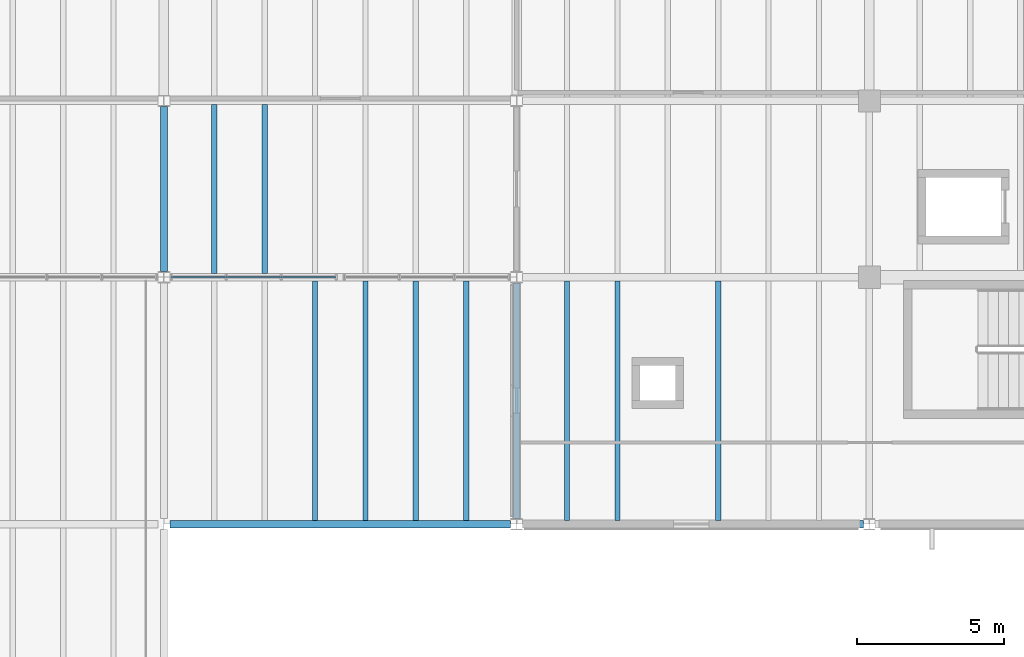
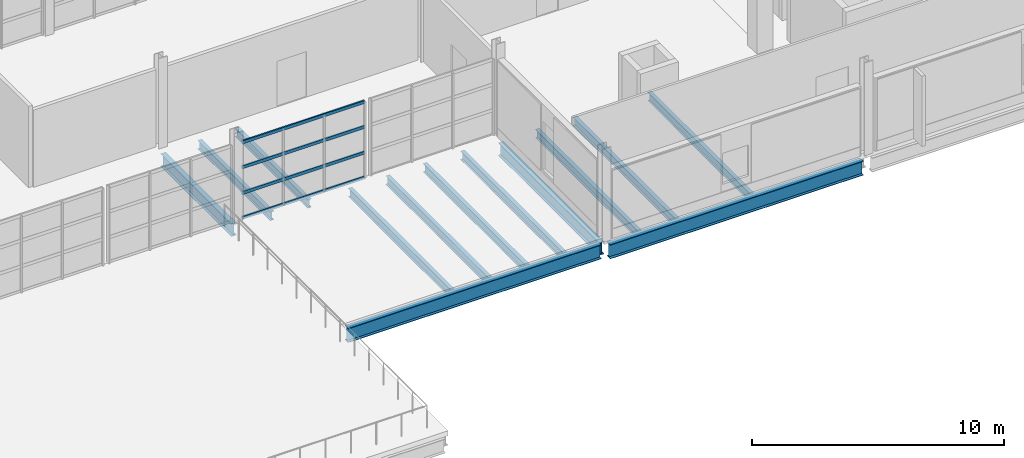
# One storey, part 23 of 78: 13 beams, 4 members, 1 element without a shape of its own.
"""IFC4 building model written with IfcOpenShell, lengths in metres."""

import ifcopenshell
import ifcopenshell.guid

model = None  # the IFC model being written
_history = None  # IfcOwnerHistory: only IFC2X3 demands one
_inside = {}  # id of a spatial element -> (the spatial element, [elements in it])
_under = {}  # id of a project, library or spatial element -> (it, [spatial elements below it])
_declared = {}  # id of a project -> (the project, [libraries it declares])
_typed = {}  # id of a type object -> (the type object, [elements of that type])
_made_of = {}  # id of a material, layer set ... -> (it, [elements and type objects made of it])


def new_model(schema):
    """Start an empty IFC model of exactly this schema.

    Asked for "IFC4X3", IfcOpenShell would pick the latest addendum, in which some entities
    have other attributes; the version numbers below select the first issue.
    IFC2X3 requires an IfcOwnerHistory on every rooted entity: one is made here for all.
    """
    global model, _history
    if schema == "IFC4X3":
        model = ifcopenshell.file(schema_version=(4, 3, 0, 0))
    else:
        model = ifcopenshell.file(schema=schema)
    _inside.clear()
    _under.clear()
    _declared.clear()
    _typed.clear()
    _made_of.clear()
    _history = None
    if model.schema == "IFC2X3":
        org = make("IfcOrganization", Name="unknown")
        user = make(
            "IfcPersonAndOrganization",
            ThePerson=make("IfcPerson", FamilyName="unknown"),
            TheOrganization=org,
        )
        app = make(
            "IfcApplication",
            ApplicationDeveloper=org,
            Version="unknown",
            ApplicationFullName="unknown",
            ApplicationIdentifier="unknown",
        )
        _history = make(
            "IfcOwnerHistory",
            OwningUser=user,
            OwningApplication=app,
            ChangeAction="ADDED",
            CreationDate=0,
        )
    return model


def make(cls, **values):
    """One entity of the class cls with the attributes given. An attribute that is None is left unset."""
    return model.create_entity(
        cls, **{name: value for name, value in values.items() if value is not None}
    )


def rooted(cls, **values):
    """An entity with a GlobalId (a new one), such as an element, a storey or a relation."""
    return make(cls, GlobalId=ifcopenshell.guid.new(), OwnerHistory=_history, **values)


def si_unit(unit_type, name, prefix=None):
    """IfcSIUnit, for example si_unit("LENGTHUNIT", "METRE", prefix="MILLI")."""
    return make("IfcSIUnit", UnitType=unit_type, Prefix=prefix, Name=name)


def assignment(units):
    """IfcUnitAssignment: the units of a project."""
    return None if units is None else make("IfcUnitAssignment", Units=units)


def point(xyz):
    """IfcCartesianPoint."""
    return None if xyz is None else make("IfcCartesianPoint", Coordinates=xyz)


def direction(xyz):
    """IfcDirection."""
    return None if xyz is None else make("IfcDirection", DirectionRatios=xyz)


def frame(location, z_axis=None, x_axis=None):
    """IfcAxis2Placement3D, a coordinate frame: its origin and axes. An axis left out is left unset."""
    return make(
        "IfcAxis2Placement3D",
        Location=point(location),
        Axis=direction(z_axis),
        RefDirection=direction(x_axis),
    )


def frame_2d(location, x_axis=None):
    """IfcAxis2Placement2D, a coordinate frame in the plane: its origin and x axis."""
    return make(
        "IfcAxis2Placement2D", Location=point(location), RefDirection=direction(x_axis)
    )


def origin():
    """The frame at (0, 0, 0) with its axes left unset."""
    return frame((0.0, 0.0, 0.0))


def origin_2d():
    """The frame at (0, 0) in the plane with its x axis left unset."""
    return frame_2d((0.0, 0.0))


def place(relative_to, where):
    """IfcLocalPlacement: puts the frame where relative to a parent placement (None: the world)."""
    return make(
        "IfcLocalPlacement", PlacementRelTo=relative_to, RelativePlacement=where
    )


def context(
    kind, dimensions, precision=None, world=None, true_north=None, identifier=None
):
    """IfcGeometricRepresentationContext, for example the 3D "Model" context."""
    return make(
        "IfcGeometricRepresentationContext",
        ContextIdentifier=identifier,
        ContextType=kind,
        CoordinateSpaceDimension=dimensions,
        Precision=precision,
        WorldCoordinateSystem=world,
        TrueNorth=true_north,
    )


def subcontext(parent, identifier, kind, view, scale=None):
    """IfcGeometricRepresentationSubContext, for example "Body" below "Model"."""
    return make(
        "IfcGeometricRepresentationSubContext",
        ContextIdentifier=identifier,
        ContextType=kind,
        ParentContext=parent,
        TargetScale=scale,
        TargetView=view,
    )


def project(units=None, contexts=None):
    """IfcProject with its units and contexts."""
    return rooted(
        "IfcProject",
        Name="project",
        RepresentationContexts=contexts,
        UnitsInContext=assignment(units),
    )


def spatial(cls, under=None, at=None, **own):
    """A site, building, storey or space (cls), placed at a placement, below another one or the project."""
    s = rooted(cls, ObjectPlacement=at, **own)
    if under is not None:
        _under.setdefault(under.id(), (under, []))[1].append(s)
    return s


def profile(cls, at=None, kind="AREA", **sizes):
    """A parametric profile (cls). Its sizes go by their IFC names, for example OverallWidth=200.0."""
    return make(cls, ProfileType=kind, Position=at, **sizes)


def hollow_rectangle(**sizes):
    """IfcRectangleHollowProfileDef."""
    return profile("IfcRectangleHollowProfileDef", **sizes)


def i_section(**sizes):
    """IfcIShapeProfileDef."""
    return profile("IfcIShapeProfileDef", **sizes)


def extrude(swept, where, along, depth):
    """IfcExtrudedAreaSolid: the profile swept, set in the frame where, extruded along a direction by depth."""
    return make(
        "IfcExtrudedAreaSolid",
        SweptArea=swept,
        Position=where,
        ExtrudedDirection=direction(along),
        Depth=depth,
    )


def shape(context_of_items, identifier, shape_type, items):
    """IfcShapeRepresentation: the items that make up one representation, for example the "Body"."""
    return make(
        "IfcShapeRepresentation",
        ContextOfItems=context_of_items,
        RepresentationIdentifier=identifier,
        RepresentationType=shape_type,
        Items=items,
    )


def material(Name=None, Category=None):
    """IfcMaterial."""
    return make("IfcMaterial", Name=Name, Category=Category)


def material_profile(
    of_material, cross_section, Name=None, Category=None, Priority=None
):
    """IfcMaterialProfile: a cross section and its material."""
    return make(
        "IfcMaterialProfile",
        Name=Name,
        Material=of_material,
        Profile=cross_section,
        Priority=Priority,
        Category=Category,
    )


def profile_set(profiles, Name=None, composite=None):
    """IfcMaterialProfileSet."""
    return make(
        "IfcMaterialProfileSet",
        Name=Name,
        MaterialProfiles=profiles,
        CompositeProfile=composite,
    )


def made_of(thing, what):
    """Note that an element or type object is made of a material, layer set ...; save() writes the relation."""
    if what is not None:
        _made_of.setdefault(what.id(), (what, []))[1].append(thing)
    return thing


def type_object(cls, material=None, **own):
    """A type object (cls), such as IfcWallType, which elements share."""
    return made_of(rooted(cls, **own), material)


def element(
    cls,
    number,
    at=None,
    inside=None,
    cuts=None,
    type_object=None,
    material=None,
    context=None,
    identifier="Body",
    shape_type=None,
    held_by="IfcProductDefinitionShape",
    body=None,
    shapes=None,
    **own,
):
    """One element of the class cls, such as IfcWall. Its Tag is "e" and its number.

    at: its placement. inside: the storey or other place that contains it. cuts: it is an
    opening in that element (IfcRelVoidsElement). A single representation is given by context,
    identifier, shape_type and body (its items); several are given by shapes. held_by: the class
    of the entity that holds the representations. save() writes the other relations.
    """
    e = rooted(cls, Tag="e%d" % number, ObjectPlacement=at, **own)
    if body is not None:
        shapes = [shape(context, identifier, shape_type, body)]
    if shapes is not None:
        e.Representation = make(held_by, Representations=shapes)
    if inside is not None:
        _inside.setdefault(inside.id(), (inside, []))[1].append(e)
    if cuts is not None:
        rooted(
            "IfcRelVoidsElement", RelatingBuildingElement=cuts, RelatedOpeningElement=e
        )
    if type_object is not None:
        _typed.setdefault(type_object.id(), (type_object, []))[1].append(e)
    return made_of(e, material)


def aggregate(whole, parts):
    """IfcRelAggregates: a whole, such as a stair, and the parts it consists of."""
    return rooted("IfcRelAggregates", RelatingObject=whole, RelatedObjects=parts)


def save(model, path):
    """Write the relations noted so far, then the file.

    IfcRelAggregates (storeys below a building ...), IfcRelContainedInSpatialStructure (elements
    in a storey), IfcRelDefinesByType, IfcRelAssociatesMaterial and IfcRelDeclares: one each for
    every whole, place, type object, material and project.
    """
    for whole, parts in _under.values():
        aggregate(whole, parts)
    for where, things in _inside.values():
        rooted(
            "IfcRelContainedInSpatialStructure",
            RelatedElements=things,
            RelatingStructure=where,
        )
    for kind, things in _typed.values():
        rooted("IfcRelDefinesByType", RelatedObjects=things, RelatingType=kind)
    for what, things in _made_of.values():
        rooted("IfcRelAssociatesMaterial", RelatedObjects=things, RelatingMaterial=what)
    for by, libraries in _declared.values():
        rooted("IfcRelDeclares", RelatingContext=by, RelatedDefinitions=libraries)
    model.write(path)


model = new_model("IFC4")

# Units and contexts
model_context = context("Model", 3, precision=1e-05, world=origin(), true_north=direction((0.0, 1.0)))
body_context = subcontext(model_context, "Body", "Model", "MODEL_VIEW")
ifc_project = project(units=[si_unit("LENGTHUNIT", "METRE"), si_unit("AREAUNIT", "SQUARE_METRE"), si_unit("VOLUMEUNIT", "CUBIC_METRE"), si_unit("PLANEANGLEUNIT", "RADIAN"), si_unit("MASSUNIT", "GRAM", prefix="KILO")], contexts=[model_context])

# Site, building, storey
site_placement = place(None, origin())
site = spatial("IfcSite", under=ifc_project, at=site_placement, CompositionType="ELEMENT")
building_placement = place(site_placement, origin())
building = spatial("IfcBuilding", under=site, at=building_placement, Name="Kelmvaro Bay Concert Hall", CompositionType="ELEMENT")
storey_placement = place(building_placement, frame((0.0, 0.0, 9.300048828125)))
storey = spatial("IfcBuildingStorey", under=building, at=storey_placement, Name="L02", CompositionType="ELEMENT", Elevation=9.300048828125)

# Curtain wall, members
ifc_material_1 = material(Name="Anodised Aluminium and Low-E Insulated Glazing", Category="aluminium")
curtain_wall_type = type_object("IfcCurtainWallType", Name="Upper Salon Waterfront Curtain Wall 4050", PredefinedType="USERDEFINED", material=ifc_material_1)
curtain_wall_placement = place(storey_placement, origin())
curtain_wall = element("IfcCurtainWall", 1, at=curtain_wall_placement, inside=storey, type_object=curtain_wall_type, Name="Unitised Curtain Wall CW-L02-086", ObjectType="UNITISED GLAZING", PredefinedType="USERDEFINED")
ifc_material_2 = material(Name="Anodised Extruded Aluminium 6063-T6", Category="aluminium")
ifc_material_profile_1 = material_profile(ifc_material_2, hollow_rectangle(XDim=0.06494140625, YDim=0.14990234375, WallThickness=0.00390625, at=origin_2d()), Name="ALU-TRN-150X65")
ifc_profile_set_1 = profile_set([ifc_material_profile_1], Name="Anodised Extruded Aluminium 6063-T6")
member_type = type_object("IfcMemberType", Name="Curtain Transom ALU 150x65", PredefinedType="USERDEFINED", material=ifc_profile_set_1)
member_1_placement = place(storey_placement, frame((113.860107421875, 24.0, 0.0400390625), z_axis=(-1.0, 0.0, 0.0), x_axis=(0.0, -1.0, 0.0)))
member_1 = element("IfcMember", 2, at=member_1_placement, type_object=member_type, Name="CW-L02-086 Transom 01", ObjectType="TRANSOM", PredefinedType="USERDEFINED", context=body_context, shape_type="SweptSolid", body=[
    extrude(hollow_rectangle(XDim=0.06494140625, YDim=0.14990234375, WallThickness=0.00390625, at=origin_2d()), origin(), (0.0, 0.0, 1.0), 5.607177734375),
])
member_2_placement = place(storey_placement, frame((113.860107421875, 24.0, 1.246337890625), z_axis=(-1.0, 0.0, 0.0), x_axis=(0.0, -1.0, 0.0)))
member_2 = element("IfcMember", 3, at=member_2_placement, type_object=member_type, Name="CW-L02-086 Transom 02", ObjectType="TRANSOM", PredefinedType="USERDEFINED", context=body_context, shape_type="SweptSolid", body=[
    extrude(hollow_rectangle(XDim=0.06494140625, YDim=0.14990234375, WallThickness=0.00390625, at=origin_2d()), origin(), (0.0, 0.0, 1.0), 5.607177734375),
])
member_3_placement = place(storey_placement, frame((113.860107421875, 24.0, 2.49267578125), z_axis=(-1.0, 0.0, 0.0), x_axis=(0.0, -1.0, 0.0)))
member_3 = element("IfcMember", 4, at=member_3_placement, type_object=member_type, Name="CW-L02-086 Transom 03", ObjectType="TRANSOM", PredefinedType="USERDEFINED", context=body_context, shape_type="SweptSolid", body=[
    extrude(hollow_rectangle(XDim=0.06494140625, YDim=0.14990234375, WallThickness=0.00390625, at=origin_2d()), origin(), (0.0, 0.0, 1.0), 5.607177734375),
])
member_4_placement = place(storey_placement, frame((113.860107421875, 24.0, 3.698974609375), z_axis=(-1.0, 0.0, 0.0), x_axis=(0.0, -1.0, 0.0)))
member_4 = element("IfcMember", 5, at=member_4_placement, type_object=member_type, Name="CW-L02-086 Transom 04", ObjectType="TRANSOM", PredefinedType="USERDEFINED", context=body_context, shape_type="SweptSolid", body=[
    extrude(hollow_rectangle(XDim=0.06494140625, YDim=0.14990234375, WallThickness=0.00390625, at=origin_2d()), origin(), (0.0, 0.0, 1.0), 5.607177734375),
])
aggregate(curtain_wall, [member_1, member_2, member_3, member_4])

# Beams
ifc_material_3 = material(Name="Steel ASTM A992 Grade 50", Category="steel")
ifc_material_profile_2 = material_profile(ifc_material_3, i_section(OverallWidth=0.256103515625, OverallDepth=0.693115234375, WebThickness=0.014404296875, FlangeThickness=0.023681640625, at=origin_2d()), Name="W27X114")
ifc_profile_set_2 = profile_set([ifc_material_profile_2], Name="Steel ASTM A992 Grade 50")
beam_type_1 = type_object("IfcBeamType", Name="Foyer Primary Girder W27x114", PredefinedType="BEAM", material=ifc_profile_set_2)
beam_1_placement = place(storey_placement, frame((108.197998046875, 15.60009765625, -0.4765625), z_axis=(1.0, 0.0, 0.0), x_axis=(0.0, 1.0, 0.0)))
element("IfcBeam", 6, at=beam_1_placement, inside=storey, type_object=beam_type_1, Name="L02 Girder BM-L02-EW-0699", PredefinedType="BEAM", context=body_context, shape_type="SweptSolid", body=[
    extrude(i_section(OverallWidth=0.256103515625, OverallDepth=0.693115234375, WebThickness=0.014404296875, FlangeThickness=0.023681640625, at=origin_2d()), origin(), (0.0, 0.0, 1.0), 11.6015625),
])
beam_2_placement = place(storey_placement, frame((120.200439453125, 15.60009765625, -0.62646484375), z_axis=(1.0, 0.0, 0.0), x_axis=(0.0, 1.0, 0.0)))
element("IfcBeam", 7, at=beam_2_placement, inside=storey, type_object=beam_type_1, Name="L02 Girder BM-L02-EW-0700", PredefinedType="BEAM", context=body_context, shape_type="SweptSolid", body=[
    extrude(i_section(OverallWidth=0.256103515625, OverallDepth=0.693115234375, WebThickness=0.014404296875, FlangeThickness=0.023681640625, at=origin_2d()), origin(), (0.0, 0.0, 1.0), 11.59912109375),
])
ifc_material_4 = material(Name="Steel ASTM A992 Grade 50", Category="steel")
ifc_material_profile_3 = material_profile(ifc_material_4, i_section(OverallWidth=0.179931640625, OverallDepth=0.4140625, WebThickness=0.009765625, FlangeThickness=0.01611328125, at=origin_2d()), Name="W16X50")
ifc_profile_set_3 = profile_set([ifc_material_profile_3], Name="Steel ASTM A992 Grade 50")
beam_type_2 = type_object("IfcBeamType", Name="Terrace Composite Joist W16x50", PredefinedType="JOIST", material=ifc_profile_set_3)
for number, where, z_axis, x_axis, name in (
    (8, (113.142822265625, 15.72802734375, -0.337158203125), (0.0, 1.0, 0.0), (-1.0, 0.0, 0.0), "L02 Floor Joist JST-L02-0968"),
    (9, (114.857177734375, 15.72802734375, -0.337158203125), (0.0, 1.0, 0.0), (-1.0, 0.0, 0.0), "L02 Floor Joist JST-L02-0969"),
    (10, (116.5712890625, 15.72802734375, -0.337158203125), (0.0, 1.0, 0.0), (-1.0, 0.0, 0.0), "L02 Floor Joist JST-L02-0970"),
    (11, (118.28564453125, 15.72802734375, -0.337158203125), (0.0, 1.0, 0.0), (-1.0, 0.0, 0.0), "L02 Floor Joist JST-L02-0971"),
    (12, (121.71435546875, 15.72802734375, -0.487060546875), (0.0, 1.0, 0.0), (-1.0, 0.0, 0.0), "L02 Floor Joist JST-L02-0972"),
    (13, (123.4287109375, 15.72802734375, -0.487060546875), (0.0, 1.0, 0.0), (-1.0, 0.0, 0.0), "L02 Floor Joist JST-L02-0973"),
    (14, (126.857177734375, 15.72802734375, -0.487060546875), (0.0, 1.0, 0.0), (-1.0, 0.0, 0.0), "L02 Floor Joist JST-L02-0974"),
):
    element("IfcBeam", number, at=place(storey_placement, frame(where, z_axis=z_axis, x_axis=x_axis)), inside=storey, type_object=beam_type_2, Name=name, PredefinedType="JOIST", context=body_context, shape_type="SweptSolid", body=[
        extrude(i_section(OverallWidth=0.179931640625, OverallDepth=0.4140625, WebThickness=0.009765625, FlangeThickness=0.01611328125, at=origin_2d()), origin(), (0.0, 0.0, 1.0), 8.14404296875),
    ])
for number, where, z_axis, x_axis, name in (
    (15, (109.71435546875, 24.1279296875, -0.45703125), (0.0, 1.0, 0.0), (-1.0, 0.0, 0.0), "L02 Floor Joist JST-L02-0998"),
    (16, (111.4287109375, 24.1279296875, -0.45703125), (0.0, 1.0, 0.0), (-1.0, 0.0, 0.0), "L02 Floor Joist JST-L02-0999"),
):
    element("IfcBeam", number, at=place(storey_placement, frame(where, z_axis=z_axis, x_axis=x_axis)), inside=storey, type_object=beam_type_2, Name=name, PredefinedType="JOIST", context=body_context, shape_type="SweptSolid", body=[
        extrude(i_section(OverallWidth=0.179931640625, OverallDepth=0.4140625, WebThickness=0.009765625, FlangeThickness=0.01611328125, at=origin_2d()), origin(), (0.0, 0.0, 1.0), 5.744140625),
    ])
ifc_material_5 = material(Name="Steel ASTM A992 Grade 50", Category="steel")
ifc_material_profile_4 = material_profile(ifc_material_5, i_section(OverallWidth=0.22900390625, OverallDepth=0.612060546875, WebThickness=0.011962890625, FlangeThickness=0.01953125, at=origin_2d()), Name="W24X84")
ifc_profile_set_4 = profile_set([ifc_material_profile_4], Name="Steel ASTM A992 Grade 50")
beam_type_3 = type_object("IfcBeamType", Name="Terrace Edge Girder W24x84", PredefinedType="BEAM", material=ifc_profile_set_4)
beam_3_placement = place(storey_placement, frame((108.0, 24.1904296875, -0.55615234375), z_axis=(0.0, 1.0, 0.0), x_axis=(-1.0, 0.0, 0.0)))
element("IfcBeam", 17, at=beam_3_placement, inside=storey, type_object=beam_type_3, Name="L02 Girder BM-L02-NS-0851", PredefinedType="BEAM", context=body_context, shape_type="SweptSolid", body=[
    extrude(i_section(OverallWidth=0.22900390625, OverallDepth=0.612060546875, WebThickness=0.011962890625, FlangeThickness=0.01953125, at=origin_2d()), origin(), (0.0, 0.0, 1.0), 5.619140625),
])
beam_4_placement = place(storey_placement, frame((120.0, 15.799560546875, -0.5859375), z_axis=(0.0, 1.0, 0.0), x_axis=(-1.0, 0.0, 0.0)))
element("IfcBeam", 18, at=beam_4_placement, inside=storey, type_object=beam_type_3, Name="L02 Girder BM-L02-NS-0857", PredefinedType="BEAM", context=body_context, shape_type="SweptSolid", body=[
    extrude(i_section(OverallWidth=0.22900390625, OverallDepth=0.612060546875, WebThickness=0.011962890625, FlangeThickness=0.01953125, at=origin_2d()), origin(), (0.0, 0.0, 1.0), 8.00341796875),
])

save(model, "model.ifc")
